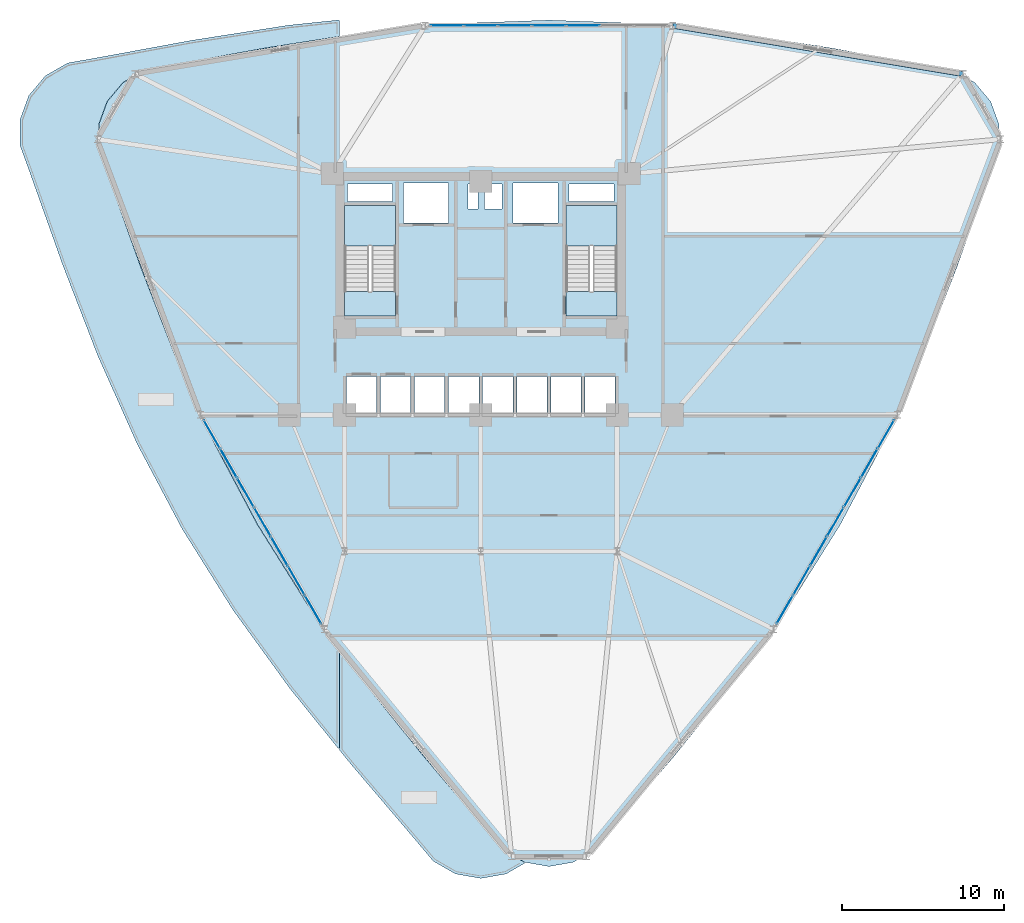
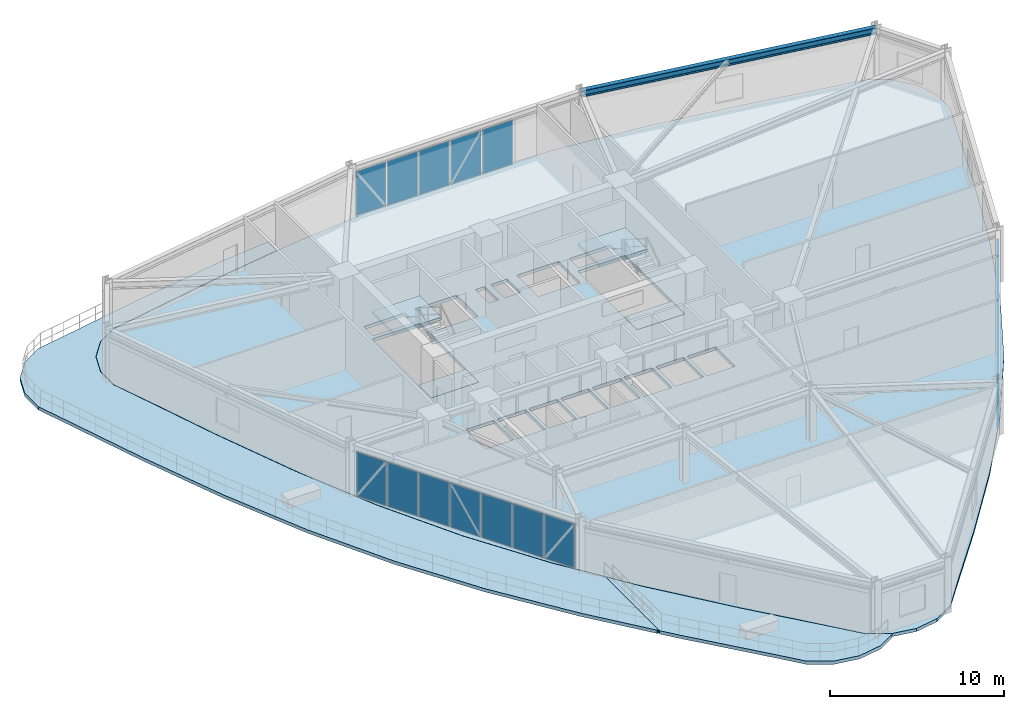
# One storey, part 13 of 21: 19 plates, 7 slabs, 1 beam, 5 elements without a shape of their own.
"""IFC4 building model written with IfcOpenShell, lengths in metres."""

from ifc_helpers import new_model, si_unit, derived_unit, direction, frame, origin, origin_2d, place, context, subcontext, project, spatial, polyline, rectangle, i_section, outline, extrude, source, transform, mapped, material, layer, layer_set, material_profile, profile_set, type_object, element, aggregate, save


model = new_model("IFC4")

# Units and contexts
model_context = context("Model", 3, precision=1e-05, world=origin(), true_north=direction((0.0, 1.0)))
body_context = subcontext(model_context, "Body", "Model", "MODEL_VIEW")
ifc_project = project(units=[si_unit("LENGTHUNIT", "METRE"), si_unit("AREAUNIT", "SQUARE_METRE"), si_unit("VOLUMEUNIT", "CUBIC_METRE"), si_unit("PLANEANGLEUNIT", "RADIAN"), si_unit("MASSUNIT", "GRAM", prefix="KILO"), derived_unit("THERMALTRANSMITTANCEUNIT", [(si_unit("POWERUNIT", "WATT"), 1), (si_unit("LENGTHUNIT", "METRE"), -2), (si_unit("THERMODYNAMICTEMPERATUREUNIT", "KELVIN"), -1)])], contexts=[model_context])

# Site, building, storey
site_placement = place(None, origin())
site = spatial("IfcSite", under=ifc_project, at=site_placement, CompositionType="ELEMENT")
building_placement = place(site_placement, origin())
building = spatial("IfcBuilding", under=site, at=building_placement, Name="Korsvarv Bourse and Concert Hall", CompositionType="ELEMENT")
storey_placement = place(building_placement, frame((0.0, 0.0, 63.89990234375)))
storey = spatial("IfcBuildingStorey", under=building, at=storey_placement, Name="L15", CompositionType="ELEMENT", Elevation=63.89990234375)

# Beam
ifc_material_1 = material(Name="Steel S355", Category="steel")
ifc_material_profile = material_profile(ifc_material_1, i_section(OverallWidth=0.300048828125, OverallDepth=0.449951171875, WebThickness=0.013916015625, FlangeThickness=0.02587890625, FilletRadius=0.02099609375, at=origin_2d()), Name="HEB 450")
ifc_profile_set = profile_set([ifc_material_profile], Name="Steel S355")
beam_type = type_object("IfcBeamType", Name="BM-HEB450", PredefinedType="SPANDREL", material=ifc_profile_set)
shared_shape_1 = source(origin(), body_context, "Body", "SweptSolid", [
    extrude(i_section(OverallWidth=0.300048828125, OverallDepth=0.449951171875, WebThickness=0.013916015625, FlangeThickness=0.02587890625, FilletRadius=0.02099609375, at=origin_2d()), origin(), (0.0, 0.0, 1.0), 18.117431640625),
])
beam_placement = place(storey_placement, frame((65.69775390625, 53.398681640625, 3.455078125), z_axis=(-0.986398293879, 0.164372764873, 0.0), x_axis=(-0.164372764873, -0.986398293879, 0.0)))
element("IfcBeam", 1, at=beam_placement, inside=storey, type_object=beam_type, Name="L15 beam B-08", PredefinedType="SPANDREL", context=body_context, shape_type="MappedRepresentation", body=[
    mapped(shared_shape_1, transform((0.0, 0.0, 0.0), scale=1.0)),
])

# Slabs
ifc_material_2 = material(Name="Precast concrete C45/55", Category="concrete")
ifc_layer_1 = layer(ifc_material_2, 0.199951171875)
ifc_layer_set_1 = layer_set([ifc_layer_1], Name="Precast concrete C45/55")
slab_type_1 = type_object("IfcSlabType", Name="SLB-FLND-T", PredefinedType="LANDING", material=ifc_layer_set_1)
slab_1_placement = place(storey_placement, frame((0.0, 0.0, -0.199951171875)))
element("IfcSlab", 2, at=slab_1_placement, inside=storey, type_object=slab_type_1, Name="L15 Stair ST-T1 Floor Landing Slab", PredefinedType="LANDING", context=body_context, shape_type="SweptSolid", body=[
    extrude(outline(polyline([(30.760009765625, 38.5), (30.760009765625, 40.0), (27.60009765625, 40.0), (27.60009765625, 38.5), (30.760009765625, 38.5)])), origin(), (0.0, 0.0, 1.0), 0.199951171875),
])
slab_2_placement = place(storey_placement, frame((0.0, 0.0, -0.199951171875)))
element("IfcSlab", 3, at=slab_2_placement, inside=storey, type_object=slab_type_1, Name="L15 Stair ST-T2 Floor Landing Slab", PredefinedType="LANDING", context=body_context, shape_type="SweptSolid", body=[
    extrude(outline(polyline([(44.39990234375, 38.5), (44.39990234375, 40.0), (41.239990234375, 40.0), (41.239990234375, 38.5), (44.39990234375, 38.5)])), origin(), (0.0, 0.0, 1.0), 0.199951171875),
])
ifc_material_3 = material(Name="Concrete C45/55", Category="concrete")
ifc_layer_2 = layer(ifc_material_3, 0.22998046875)
ifc_layer_set_2 = layer_set([ifc_layer_2], Name="Concrete C45/55")
slab_type_2 = type_object("IfcSlabType", Name="SLB-SKY", PredefinedType="FLOOR", material=ifc_layer_set_2)
slab_3_placement = place(storey_placement, frame((0.0, 0.0, -0.22998046875)))
element("IfcSlab", 4, at=slab_3_placement, inside=storey, type_object=slab_type_2, Name="L15 Crescent Sky Garden Terrace 1", PredefinedType="FLOOR", context=body_context, shape_type="SweptSolid", body=[
    extrude(outline(polyline([(12.4638671875, 48.7548828125), (12.464111328125, 48.754150390625), (13.036865234375, 47.180419921875), (13.037109375, 47.18017578125), (13.0390625, 47.17431640625), (13.0390625, 47.17431640625), (15.03076171875, 41.578857421875), (15.03076171875, 41.57861328125), (15.031005859375, 41.578125), (17.156005859375, 36.08544921875), (17.156005859375, 36.0849609375), (17.156494140625, 36.083984375), (19.5341796875, 30.758544921875), (19.53466796875, 30.7578125), (19.534912109375, 30.757080078125), (22.247314453125, 25.635986328125), (22.247802734375, 25.63525390625), (22.248291015625, 25.634521484375), (25.326904296875, 20.72509765625), (25.327392578125, 20.724365234375), (25.327880859375, 20.7236328125), (27.28857421875, 18.01904296875), (27.2919921875, 18.013671875), (27.294921875, 18.008056640625), (27.297119140625, 18.002197265625), (27.298583984375, 17.99609375), (27.2998046875, 17.989990234375), (27.300048828125, 17.983642578125), (27.300048828125, 11.927490234375), (27.2998046875, 11.921630859375), (27.298828125, 11.915771484375), (27.29736328125, 11.91015625), (27.29541015625, 11.904541015625), (27.29296875, 11.899169921875), (27.289794921875, 11.89404296875), (27.286376953125, 11.889404296875), (27.2822265625, 11.885009765625), (27.27783203125, 11.881103515625), (27.273193359375, 11.877685546875), (27.26806640625, 11.87451171875), (27.2626953125, 11.8720703125), (27.257080078125, 11.8701171875), (27.25146484375, 11.86865234375), (27.24560546875, 11.867919921875), (27.23974609375, 11.86767578125), (27.23388671875, 11.867919921875), (27.227783203125, 11.868896484375), (27.22216796875, 11.870361328125), (27.216552734375, 11.872314453125), (27.211181640625, 11.875), (27.206298828125, 11.8779296875), (27.20166015625, 11.881591796875), (27.197265625, 11.885498046875), (27.193359375, 11.889892578125), (24.243408203125, 15.54931640625), (24.24169921875, 15.5517578125), (20.748779296875, 20.36767578125), (20.746337890625, 20.370849609375), (17.606201171875, 25.377685546875), (17.60400390625, 25.381591796875), (14.838134765625, 30.6044921875), (14.83642578125, 30.608154296875), (12.412109375, 36.041015625), (12.410888671875, 36.043701171875), (10.245361328125, 41.647705078125), (10.244873046875, 41.649169921875), (8.21533203125, 47.35888671875), (8.212890625, 47.365234375), (7.62158203125, 48.990234375), (7.619873046875, 48.9951171875), (7.618896484375, 49.000244140625), (7.6181640625, 49.005615234375), (7.617919921875, 49.0107421875), (7.617919921875, 50.573974609375), (7.6181640625, 50.5791015625), (7.618896484375, 50.584228515625), (7.619873046875, 50.58935546875), (7.62158203125, 50.594482421875), (8.15625, 52.063720703125), (8.158203125, 52.068359375), (8.16064453125, 52.072998046875), (8.16357421875, 52.077392578125), (8.166748046875, 52.08154296875), (9.171630859375, 53.279296875), (9.175048828125, 53.283203125), (9.178955078125, 53.28662109375), (9.18310546875, 53.289794921875), (9.1875, 53.29248046875), (10.54150390625, 54.07421875), (10.546142578125, 54.07666015625), (10.55078125, 54.07861328125), (10.555908203125, 54.080322265625), (10.56103515625, 54.081298828125), (12.263671875, 54.381591796875), (12.263916015625, 54.381591796875), (12.27001953125, 54.3828125), (12.2705078125, 54.3828125), (18.22998046875, 55.47998046875), (18.231689453125, 55.480224609375), (24.16748046875, 56.40673828125), (24.170654296875, 56.4072265625), (27.23388671875, 56.7265625), (27.23974609375, 56.726806640625), (27.24560546875, 56.726806640625), (27.25146484375, 56.725830078125), (27.257080078125, 56.724365234375), (27.2626953125, 56.722412109375), (27.26806640625, 56.719970703125), (27.273193359375, 56.716796875), (27.27783203125, 56.71337890625), (27.2822265625, 56.70947265625), (27.286376953125, 56.705078125), (27.289794921875, 56.7001953125), (27.29296875, 56.6953125), (27.29541015625, 56.68994140625), (27.29736328125, 56.684326171875), (27.298828125, 56.6787109375), (27.2998046875, 56.6728515625), (27.300048828125, 56.6669921875), (27.300048828125, 55.762451171875), (27.2998046875, 55.75634765625), (27.298828125, 55.75048828125), (27.29736328125, 55.744384765625), (27.295166015625, 55.73876953125), (27.29248046875, 55.7333984375), (27.289306640625, 55.728271484375), (27.28564453125, 55.723388671875), (27.281494140625, 55.718994140625), (27.27685546875, 55.715087890625), (27.271728515625, 55.71142578125), (27.2666015625, 55.70849609375), (27.260986328125, 55.706298828125), (27.255126953125, 55.704345703125), (27.249267578125, 55.703125), (22.78466796875, 55.0078125), (22.784423828125, 55.0078125), (22.783935546875, 55.0078125), (16.9423828125, 53.934814453125), (16.942138671875, 53.934814453125), (16.936279296875, 53.933837890625), (16.93603515625, 53.933837890625), (15.28662109375, 53.64306640625), (15.285888671875, 53.642822265625), (15.28466796875, 53.642578125), (15.28369140625, 53.64208984375), (15.28271484375, 53.6416015625), (15.281982421875, 53.641357421875), (13.96630859375, 52.881591796875), (13.9658203125, 52.88134765625), (13.964599609375, 52.880615234375), (13.964111328125, 52.8798828125), (13.962890625, 52.87890625), (13.962646484375, 52.878662109375), (12.986083984375, 51.714599609375), (12.985595703125, 51.71435546875), (12.98486328125, 51.713134765625), (12.984375, 51.71240234375), (12.98388671875, 51.711181640625), (12.983642578125, 51.710693359375), (12.464111328125, 50.282958984375), (12.4638671875, 50.282470703125), (12.46337890625, 50.281005859375), (12.46337890625, 50.2802734375), (12.463134765625, 50.27880859375), (12.463134765625, 50.2783203125), (12.463134765625, 48.7587890625), (12.463134765625, 48.75830078125), (12.46337890625, 48.757080078125), (12.46337890625, 48.756103515625), (12.4638671875, 48.7548828125)])), origin(), (0.0, 0.0, 1.0), 0.22998046875),
])
slab_4_placement = place(storey_placement, frame((0.0, 0.0, -0.22998046875)))
element("IfcSlab", 5, at=slab_4_placement, inside=storey, type_object=slab_type_2, Name="L15 Crescent Sky Garden Terrace 3", PredefinedType="FLOOR", context=body_context, shape_type="SweptSolid", body=[
    extrude(outline(polyline([(36.010498046875, 3.854736328125), (36.005126953125, 3.854248046875), (36.0, 3.85400390625), (35.994873046875, 3.854248046875), (35.989501953125, 3.854736328125), (34.449951171875, 4.126220703125), (34.44482421875, 4.12744140625), (34.439697265625, 4.12890625), (34.43505859375, 4.131103515625), (34.430419921875, 4.13330078125), (33.07666015625, 4.9150390625), (33.072021484375, 4.91796875), (33.068115234375, 4.921142578125), (33.064208984375, 4.924560546875), (33.060546875, 4.928466796875), (31.94921875, 6.2529296875), (31.948974609375, 6.253173828125), (31.94482421875, 6.258056640625), (31.944580078125, 6.25830078125), (28.014892578125, 10.870849609375), (28.013916015625, 10.8720703125), (27.313232421875, 11.7412109375), (27.309814453125, 11.745849609375), (27.306884765625, 11.750732421875), (27.304443359375, 11.756103515625), (27.302490234375, 11.761474609375), (27.301025390625, 11.76708984375), (27.30029296875, 11.77294921875), (27.300048828125, 11.77880859375), (27.300048828125, 17.818115234375), (27.30029296875, 17.823974609375), (27.301025390625, 17.82958984375), (27.302490234375, 17.83544921875), (27.304443359375, 17.8408203125), (27.306884765625, 17.84619140625), (27.309814453125, 17.85107421875), (27.313232421875, 17.855712890625), (27.317138671875, 17.860107421875), (27.3212890625, 17.864013671875), (27.325927734375, 17.86767578125), (27.330810546875, 17.87060546875), (27.336181640625, 17.873291015625), (27.341552734375, 17.875244140625), (27.34716796875, 17.876708984375), (27.352783203125, 17.877685546875), (27.358642578125, 17.878173828125), (27.364501953125, 17.8779296875), (27.3701171875, 17.877197265625), (27.375732421875, 17.876220703125), (27.38134765625, 17.874267578125), (27.38671875, 17.8720703125), (27.3916015625, 17.869140625), (27.396484375, 17.86572265625), (27.40087890625, 17.862060546875), (27.405029296875, 17.85791015625), (27.40869140625, 17.853515625), (28.751220703125, 16.00146484375), (28.75146484375, 16.001220703125), (28.751953125, 16.00048828125), (32.4462890625, 11.413818359375), (32.4462890625, 11.413818359375), (32.44677734375, 11.413330078125), (36.296630859375, 6.890869140625), (36.296875, 6.890625), (36.30078125, 6.885986328125), (36.30078125, 6.885986328125), (37.37744140625, 5.602783203125), (37.3779296875, 5.602294921875), (37.37890625, 5.601318359375), (37.37939453125, 5.600830078125), (37.380615234375, 5.60009765625), (37.381103515625, 5.599609375), (38.6552734375, 4.8642578125), (38.66015625, 4.86083984375), (38.664794921875, 4.857177734375), (38.669189453125, 4.85302734375), (38.673095703125, 4.848388671875), (38.676513671875, 4.843505859375), (38.67919921875, 4.838134765625), (38.681640625, 4.832763671875), (38.683349609375, 4.826904296875), (38.6845703125, 4.821044921875), (38.68505859375, 4.815185546875), (38.68505859375, 4.80908203125), (38.6845703125, 4.80322265625), (38.683349609375, 4.79736328125), (38.681640625, 4.791748046875), (38.67919921875, 4.7861328125), (38.676513671875, 4.781005859375), (38.673095703125, 4.77587890625), (38.669189453125, 4.771484375), (38.664794921875, 4.76708984375), (38.66015625, 4.763427734375), (38.6552734375, 4.76025390625), (37.569580078125, 4.13330078125), (37.56494140625, 4.131103515625), (37.560302734375, 4.12890625), (37.55517578125, 4.12744140625), (37.550048828125, 4.126220703125), (36.010498046875, 3.854736328125)])), origin(), (0.0, 0.0, 1.0), 0.22998046875),
])

# Stair, slab
stair_type = type_object("IfcStairType", Name="STR-TYPE-03", PredefinedType="HALF_TURN_STAIR", material=ifc_material_2)
stair_1_placement = place(storey_placement, origin())
stair_1 = element("IfcStair", 6, at=stair_1_placement, inside=storey, type_object=stair_type, Name="L15 Tower West Exit Stair ST-T1", PredefinedType="HALF_TURN_STAIR")
ifc_layer_3 = layer(ifc_material_2, 0.199951171875)
ifc_layer_set_3 = layer_set([ifc_layer_3], Name="Precast concrete C45/55")
slab_type_3 = type_object("IfcSlabType", Name="SLB-ST-LND", PredefinedType="LANDING", material=ifc_layer_set_3)
slab_5_placement = place(storey_placement, frame((0.0, 0.0, 1.75)))
slab_5 = element("IfcSlab", 7, at=slab_5_placement, type_object=slab_type_3, Name="ST-T1 landing 1", PredefinedType="LANDING", context=body_context, shape_type="SweptSolid", body=[
    extrude(outline(polyline([(30.760009765625, 42.800048828125), (30.760009765625, 45.300048828125), (27.60009765625, 45.300048828125), (27.60009765625, 42.800048828125), (30.760009765625, 42.800048828125)])), origin(), (0.0, 0.0, 1.0), 0.2001953125),
])
aggregate(stair_1, [slab_5])

stair_2_placement = place(storey_placement, origin())
stair_2 = element("IfcStair", 8, at=stair_2_placement, inside=storey, type_object=stair_type, Name="L15 Tower East Exit Stair ST-T2", PredefinedType="HALF_TURN_STAIR")
slab_6_placement = place(storey_placement, frame((0.0, 0.0, 1.75)))
slab_6 = element("IfcSlab", 9, at=slab_6_placement, type_object=slab_type_3, Name="ST-T2 landing 1", PredefinedType="LANDING", context=body_context, shape_type="SweptSolid", body=[
    extrude(outline(polyline([(44.39990234375, 42.800048828125), (44.39990234375, 45.300048828125), (41.239990234375, 45.300048828125), (41.239990234375, 42.800048828125), (44.39990234375, 42.800048828125)])), origin(), (0.0, 0.0, 1.0), 0.2001953125),
])
aggregate(stair_2, [slab_6])

# Slab
ifc_layer_4 = layer(ifc_material_3, 0.219970703125)
ifc_layer_set_4 = layer_set([ifc_layer_4], Name="Concrete C45/55")
slab_type_4 = type_object("IfcSlabType", Name="SLB-TW1", PredefinedType="FLOOR", material=ifc_layer_set_4)
slab_7_placement = place(storey_placement, frame((0.0, 0.0, -0.219970703125)))
element("IfcSlab", 10, at=slab_7_placement, inside=storey, type_object=slab_type_4, Name="L15 tower structural floor slab", PredefinedType="FLOOR", context=body_context, shape_type="SweptSolid", body=[
    extrude(outline(polyline([(67.3515625, 47.177734375), (65.35986328125, 41.58203125), (63.234619140625, 36.088623046875), (60.8564453125, 30.76220703125), (58.1435546875, 25.64013671875), (55.064453125, 20.72998046875), (51.640380859375, 16.007080078125), (47.94580078125, 11.419921875), (44.095703125, 6.897216796875), (44.091552734375, 6.892333984375), (43.014404296875, 5.608642578125), (41.697509765625, 4.848388671875), (40.199951171875, 4.58447265625), (38.702392578125, 4.848388671875), (37.385498046875, 5.608642578125), (36.308349609375, 6.892333984375), (36.304443359375, 6.897216796875), (32.4541015625, 11.419921875), (28.759521484375, 16.007080078125), (25.335693359375, 20.72998046875), (22.25634765625, 25.64013671875), (19.543701171875, 30.76220703125), (17.165283203125, 36.088623046875), (15.040283203125, 41.58203125), (13.04833984375, 47.177734375), (13.04638671875, 47.18359375), (12.47314453125, 48.75830078125), (12.47314453125, 50.27880859375), (12.993408203125, 51.707763671875), (13.970703125, 52.872802734375), (15.28759765625, 53.633056640625), (16.93798828125, 53.924072265625), (16.944091796875, 53.925048828125), (22.785888671875, 54.998046875), (28.605712890625, 55.904296875), (34.407958984375, 56.5078125), (40.199951171875, 56.719482421875), (45.991943359375, 56.5078125), (51.794189453125, 55.904296875), (57.614013671875, 54.998046875), (63.455810546875, 53.925048828125), (63.462158203125, 53.924072265625), (65.1123046875, 53.633056640625), (66.42919921875, 52.872802734375), (67.40673828125, 51.707763671875), (67.9267578125, 50.27880859375), (67.9267578125, 48.75830078125), (67.353759765625, 47.18359375), (67.3515625, 47.177734375)]), holes=[polyline([(30.760009765625, 38.5), (30.760009765625, 45.300048828125), (27.60009765625, 45.300048828125), (27.60009765625, 38.5), (30.760009765625, 38.5)]), polyline([(44.39990234375, 38.5), (44.39990234375, 45.300048828125), (41.239990234375, 45.300048828125), (41.239990234375, 38.5), (44.39990234375, 38.5)]), polyline([(31.239990234375, 44.219970703125), (34.0, 44.219970703125), (34.0, 46.679931640625), (31.239990234375, 46.679931640625), (31.239990234375, 44.219970703125)]), polyline([(38.0, 44.219970703125), (40.760009765625, 44.219970703125), (40.760009765625, 46.679931640625), (38.0, 46.679931640625), (38.0, 44.219970703125)]), polyline([(27.719970703125, 32.52001953125), (29.580078125, 32.52001953125), (29.580078125, 34.780029296875), (27.719970703125, 34.780029296875), (27.719970703125, 32.52001953125)]), polyline([(29.820068359375, 32.52001953125), (31.679931640625, 32.52001953125), (31.679931640625, 34.780029296875), (29.820068359375, 34.780029296875), (29.820068359375, 32.52001953125)]), polyline([(31.919921875, 32.52001953125), (33.780029296875, 32.52001953125), (33.780029296875, 34.780029296875), (31.919921875, 34.780029296875), (31.919921875, 32.52001953125)]), polyline([(34.02001953125, 32.52001953125), (35.8798828125, 32.52001953125), (35.8798828125, 34.780029296875), (34.02001953125, 34.780029296875), (34.02001953125, 32.52001953125)]), polyline([(36.1201171875, 32.52001953125), (37.97998046875, 32.52001953125), (37.97998046875, 34.780029296875), (36.1201171875, 34.780029296875), (36.1201171875, 32.52001953125)]), polyline([(38.219970703125, 32.52001953125), (40.080078125, 32.52001953125), (40.080078125, 34.780029296875), (38.219970703125, 34.780029296875), (38.219970703125, 32.52001953125)]), polyline([(40.320068359375, 32.52001953125), (42.179931640625, 32.52001953125), (42.179931640625, 34.780029296875), (40.320068359375, 34.780029296875), (40.320068359375, 32.52001953125)]), polyline([(42.419921875, 32.52001953125), (44.280029296875, 32.52001953125), (44.280029296875, 34.780029296875), (42.419921875, 34.780029296875), (42.419921875, 32.52001953125)]), polyline([(27.800048828125, 45.56005859375), (30.56005859375, 45.56005859375), (30.56005859375, 46.6201171875), (27.800048828125, 46.6201171875), (27.800048828125, 45.56005859375)]), polyline([(41.43994140625, 45.56005859375), (44.199951171875, 45.56005859375), (44.199951171875, 46.6201171875), (41.43994140625, 46.6201171875), (41.43994140625, 45.56005859375)]), polyline([(35.199951171875, 45.080078125), (35.840087890625, 45.080078125), (35.840087890625, 46.6201171875), (35.199951171875, 46.6201171875), (35.199951171875, 45.080078125)]), polyline([(36.239990234375, 45.080078125), (37.320068359375, 45.080078125), (37.320068359375, 46.6201171875), (36.239990234375, 46.6201171875), (36.239990234375, 45.080078125)])]), origin(), (0.0, 0.0, 1.0), 0.219970703125),
])

# Curtain wall, plates
ifc_material_4 = material(Name="Anodised aluminium and triple low-E glazing", Category="glass")
ifc_layer_5 = layer(ifc_material_4, 0.219970703125)
ifc_layer_set_5 = layer_set([ifc_layer_5], Name="Anodised aluminium and triple low-E glazing")
curtain_wall_type = type_object("IfcCurtainWallType", Name="CW-SYS-1", PredefinedType="NOTDEFINED", material=ifc_layer_set_5)
curtain_wall_1_placement = place(storey_placement, origin())
curtain_wall_1 = element("IfcCurtainWall", 11, at=curtain_wall_1_placement, inside=storey, type_object=curtain_wall_type, Name="L15 CW1 curtain wall CW-L15-F03", PredefinedType="NOTDEFINED")
ifc_material_5 = material(Name="Insulated spandrel glass", Category="glass")
ifc_layer_6 = layer(ifc_material_5, 0.031982421875)
ifc_layer_set_6 = layer_set([ifc_layer_6], Name="Insulated spandrel glass")
plate_type_1 = type_object("IfcPlateType", Name="CWP-SPD1", PredefinedType="CURTAIN_PANEL", material=ifc_layer_set_6)
shared_shape_2 = source(origin(), body_context, "Body", "SweptSolid", [
    extrude(rectangle(XDim=1.999267578125, YDim=0.031982421875, at=origin_2d()), origin(), (0.0, 0.0, 1.0), 3.10009765625),
])
plate_1_placement = place(storey_placement, frame((33.90478515625, 56.376708984375, 0.06494140625), z_axis=(0.0, 0.0, 1.0), x_axis=(-1.0, 0.0, 0.0)))
plate_1 = element("IfcPlate", 12, at=plate_1_placement, type_object=plate_type_1, Name="CW1 spandrel shadow-box panel 7.1", PredefinedType="CURTAIN_PANEL", context=body_context, shape_type="MappedRepresentation", body=[
    mapped(shared_shape_2, transform((0.0, 0.0, 0.0), scale=1.0)),
])
ifc_material_6 = material(Name="Tempered triple insulated low-E architectural glass", Category="glass")
ifc_layer_7 = layer(ifc_material_6, 0.035888671875)
ifc_layer_set_7 = layer_set([ifc_layer_7], Name="Tempered triple insulated low-E architectural glass")
plate_type_2 = type_object("IfcPlateType", Name="CWP-VIS1", PredefinedType="CURTAIN_PANEL", material=ifc_layer_set_7)
shared_shape_3 = source(origin(), body_context, "Body", "SweptSolid", [
    extrude(rectangle(XDim=2.0341796875, YDim=0.035888671875, at=origin_2d()), origin(), (0.0, 0.0, 1.0), 3.10009765625),
])
plate_2_placement = place(storey_placement, frame((42.30419921875, 56.376708984375, 0.06494140625), z_axis=(0.0, 0.0, 1.0), x_axis=(-1.0, 0.0, 0.0)))
plate_2 = element("IfcPlate", 13, at=plate_2_placement, type_object=plate_type_2, Name="CW1 faceted panel 3.1", PredefinedType="CURTAIN_PANEL", context=body_context, shape_type="MappedRepresentation", body=[
    mapped(shared_shape_3, transform((0.0, 0.0, 0.0), scale=1.0)),
])
plate_3_placement = place(storey_placement, frame((38.095703125, 56.376708984375, 0.06494140625), z_axis=(0.0, 0.0, 1.0), x_axis=(-1.0, 0.0, 0.0)))
plate_3 = element("IfcPlate", 14, at=plate_3_placement, type_object=plate_type_2, Name="CW1 faceted panel 5.1", PredefinedType="CURTAIN_PANEL", context=body_context, shape_type="MappedRepresentation", body=[
    mapped(shared_shape_3, transform((0.0, 0.0, 0.0), scale=1.0)),
])
plate_4_placement = place(storey_placement, frame((35.99169921875, 56.376708984375, 0.06494140625), z_axis=(0.0, 0.0, 1.0), x_axis=(-1.0, 0.0, 0.0)))
plate_4 = element("IfcPlate", 15, at=plate_4_placement, type_object=plate_type_2, Name="CW1 faceted panel 6.1", PredefinedType="CURTAIN_PANEL", context=body_context, shape_type="MappedRepresentation", body=[
    mapped(shared_shape_3, transform((0.0, 0.0, 0.0), scale=1.0)),
])
shared_shape_4 = source(origin(), body_context, "Body", "SweptSolid", [
    extrude(rectangle(XDim=2.0341796875, YDim=0.031982421875, at=origin_2d()), origin(), (0.0, 0.0, 1.0), 3.10009765625),
])
plate_5_placement = place(storey_placement, frame((40.199951171875, 56.376708984375, 0.06494140625), z_axis=(0.0, 0.0, 1.0), x_axis=(-1.0, 0.0, 0.0)))
plate_5 = element("IfcPlate", 16, at=plate_5_placement, type_object=plate_type_1, Name="CW1 spandrel shadow-box panel 4.1", PredefinedType="CURTAIN_PANEL", context=body_context, shape_type="MappedRepresentation", body=[
    mapped(shared_shape_4, transform((0.0, 0.0, 0.0), scale=1.0)),
])
aggregate(curtain_wall_1, [plate_2, plate_5, plate_3, plate_4, plate_1])

curtain_wall_2_placement = place(storey_placement, origin())
curtain_wall_2 = element("IfcCurtainWall", 17, at=curtain_wall_2_placement, inside=storey, type_object=curtain_wall_type, Name="L15 CW1 curtain wall CW-L15-F07", PredefinedType="NOTDEFINED")
shared_shape_5 = source(origin(), body_context, "Body", "SweptSolid", [
    extrude(rectangle(XDim=1.9794921875, YDim=0.031982421875, at=origin_2d()), origin(), (0.0, 0.0, 1.0), 3.10009765625),
])
plate_6_placement = place(storey_placement, frame((19.435302734375, 31.211669921875, 0.06494140625), z_axis=(0.0, 0.0, 1.0), x_axis=(0.500006038217, -0.86602191759, 0.0)))
plate_6 = element("IfcPlate", 18, at=plate_6_placement, type_object=plate_type_1, Name="CW1 spandrel shadow-box panel 1.1", PredefinedType="CURTAIN_PANEL", context=body_context, shape_type="MappedRepresentation", body=[
    mapped(shared_shape_5, transform((0.0, 0.0, 0.0), scale=1.0)),
])
plate_7_placement = place(storey_placement, frame((25.671142578125, 20.411376953125, 0.06494140625), z_axis=(0.0, 0.0, 1.0), x_axis=(0.500006038217, -0.86602191759, 0.0)))
plate_7 = element("IfcPlate", 19, at=plate_7_placement, type_object=plate_type_1, Name="CW1 spandrel shadow-box panel 7.1", PredefinedType="CURTAIN_PANEL", context=body_context, shape_type="MappedRepresentation", body=[
    mapped(shared_shape_5, transform((0.0, 0.0, 0.0), scale=1.0)),
])

curtain_wall_3_placement = place(storey_placement, origin())
curtain_wall_3 = element("IfcCurtainWall", 20, at=curtain_wall_3_placement, inside=storey, type_object=curtain_wall_type, Name="L15 CW1 curtain wall CW-L15-F11", PredefinedType="NOTDEFINED")
plate_8_placement = place(storey_placement, frame((54.72900390625, 20.411376953125, 0.06494140625), z_axis=(0.0, 0.0, 1.0), x_axis=(0.500006038217, 0.86602191759, 0.0)))
plate_8 = element("IfcPlate", 21, at=plate_8_placement, type_object=plate_type_1, Name="CW1 spandrel shadow-box panel 1.1", PredefinedType="CURTAIN_PANEL", context=body_context, shape_type="MappedRepresentation", body=[
    mapped(shared_shape_5, transform((0.0, 0.0, 0.0), scale=1.0)),
])
plate_9_placement = place(storey_placement, frame((60.964599609375, 31.211669921875, 0.06494140625), z_axis=(0.0, 0.0, 1.0), x_axis=(0.500006038217, 0.86602191759, 0.0)))
plate_9 = element("IfcPlate", 22, at=plate_9_placement, type_object=plate_type_1, Name="CW1 spandrel shadow-box panel 7.1", PredefinedType="CURTAIN_PANEL", context=body_context, shape_type="MappedRepresentation", body=[
    mapped(shared_shape_5, transform((0.0, 0.0, 0.0), scale=1.0)),
])

# Plate
shared_shape_6 = source(origin(), body_context, "Body", "SweptSolid", [
    extrude(rectangle(XDim=2.014404296875, YDim=0.035888671875, at=origin_2d()), origin(), (0.0, 0.0, 1.0), 3.10009765625),
])
plate_10_placement = place(storey_placement, frame((20.46875, 29.421875, 0.06494140625), z_axis=(0.0, 0.0, 1.0), x_axis=(0.500006038217, -0.86602191759, 0.0)))
plate_10 = element("IfcPlate", 23, at=plate_10_placement, type_object=plate_type_2, Name="CW1 faceted panel 2.1", PredefinedType="CURTAIN_PANEL", context=body_context, shape_type="MappedRepresentation", body=[
    mapped(shared_shape_6, transform((0.0, 0.0, 0.0), scale=1.0)),
])

plate_11_placement = place(storey_placement, frame((21.510986328125, 27.61669921875, 0.06494140625), z_axis=(0.0, 0.0, 1.0), x_axis=(0.500006038217, -0.86602191759, 0.0)))
plate_11 = element("IfcPlate", 24, at=plate_11_placement, type_object=plate_type_2, Name="CW1 faceted panel 3.1", PredefinedType="CURTAIN_PANEL", context=body_context, shape_type="MappedRepresentation", body=[
    mapped(shared_shape_6, transform((0.0, 0.0, 0.0), scale=1.0)),
])

plate_12_placement = place(storey_placement, frame((23.595458984375, 24.006591796875, 0.06494140625), z_axis=(0.0, 0.0, 1.0), x_axis=(0.500006038217, -0.86602191759, 0.0)))
plate_12 = element("IfcPlate", 25, at=plate_12_placement, type_object=plate_type_2, Name="CW1 faceted panel 5.1", PredefinedType="CURTAIN_PANEL", context=body_context, shape_type="MappedRepresentation", body=[
    mapped(shared_shape_6, transform((0.0, 0.0, 0.0), scale=1.0)),
])

plate_13_placement = place(storey_placement, frame((24.6376953125, 22.201416015625, 0.06494140625), z_axis=(0.0, 0.0, 1.0), x_axis=(0.500006038217, -0.86602191759, 0.0)))
plate_13 = element("IfcPlate", 26, at=plate_13_placement, type_object=plate_type_2, Name="CW1 faceted panel 6.1", PredefinedType="CURTAIN_PANEL", context=body_context, shape_type="MappedRepresentation", body=[
    mapped(shared_shape_6, transform((0.0, 0.0, 0.0), scale=1.0)),
])

plate_14_placement = place(storey_placement, frame((55.762451171875, 22.201416015625, 0.06494140625), z_axis=(0.0, 0.0, 1.0), x_axis=(0.500006038217, 0.86602191759, 0.0)))
plate_14 = element("IfcPlate", 27, at=plate_14_placement, type_object=plate_type_2, Name="CW1 faceted panel 2.1", PredefinedType="CURTAIN_PANEL", context=body_context, shape_type="MappedRepresentation", body=[
    mapped(shared_shape_6, transform((0.0, 0.0, 0.0), scale=1.0)),
])

plate_15_placement = place(storey_placement, frame((56.8046875, 24.006591796875, 0.06494140625), z_axis=(0.0, 0.0, 1.0), x_axis=(0.500006038217, 0.86602191759, 0.0)))
plate_15 = element("IfcPlate", 28, at=plate_15_placement, type_object=plate_type_2, Name="CW1 faceted panel 3.1", PredefinedType="CURTAIN_PANEL", context=body_context, shape_type="MappedRepresentation", body=[
    mapped(shared_shape_6, transform((0.0, 0.0, 0.0), scale=1.0)),
])

plate_16_placement = place(storey_placement, frame((58.888916015625, 27.61669921875, 0.06494140625), z_axis=(0.0, 0.0, 1.0), x_axis=(0.500006038217, 0.86602191759, 0.0)))
plate_16 = element("IfcPlate", 29, at=plate_16_placement, type_object=plate_type_2, Name="CW1 faceted panel 5.1", PredefinedType="CURTAIN_PANEL", context=body_context, shape_type="MappedRepresentation", body=[
    mapped(shared_shape_6, transform((0.0, 0.0, 0.0), scale=1.0)),
])

plate_17_placement = place(storey_placement, frame((59.93115234375, 29.421875, 0.06494140625), z_axis=(0.0, 0.0, 1.0), x_axis=(0.500006038217, 0.86602191759, 0.0)))
plate_17 = element("IfcPlate", 30, at=plate_17_placement, type_object=plate_type_2, Name="CW1 faceted panel 6.1", PredefinedType="CURTAIN_PANEL", context=body_context, shape_type="MappedRepresentation", body=[
    mapped(shared_shape_6, transform((0.0, 0.0, 0.0), scale=1.0)),
])

shared_shape_7 = source(origin(), body_context, "Body", "SweptSolid", [
    extrude(rectangle(XDim=2.014404296875, YDim=0.031982421875, at=origin_2d()), origin(), (0.0, 0.0, 1.0), 3.10009765625),
])
plate_18_placement = place(storey_placement, frame((22.55322265625, 25.8115234375, 0.06494140625), z_axis=(0.0, 0.0, 1.0), x_axis=(0.500006038217, -0.86602191759, 0.0)))
plate_18 = element("IfcPlate", 31, at=plate_18_placement, type_object=plate_type_1, Name="CW1 spandrel shadow-box panel 4.1", PredefinedType="CURTAIN_PANEL", context=body_context, shape_type="MappedRepresentation", body=[
    mapped(shared_shape_7, transform((0.0, 0.0, 0.0), scale=1.0)),
])

aggregate(curtain_wall_2, [plate_6, plate_10, plate_11, plate_18, plate_12, plate_13, plate_7])

plate_19_placement = place(storey_placement, frame((57.8466796875, 25.8115234375, 0.06494140625), z_axis=(0.0, 0.0, 1.0), x_axis=(0.500006038217, 0.86602191759, 0.0)))
plate_19 = element("IfcPlate", 32, at=plate_19_placement, type_object=plate_type_1, Name="CW1 spandrel shadow-box panel 4.1", PredefinedType="CURTAIN_PANEL", context=body_context, shape_type="MappedRepresentation", body=[
    mapped(shared_shape_7, transform((0.0, 0.0, 0.0), scale=1.0)),
])

aggregate(curtain_wall_3, [plate_8, plate_14, plate_15, plate_19, plate_16, plate_17, plate_9])

save(model, "model.ifc")
